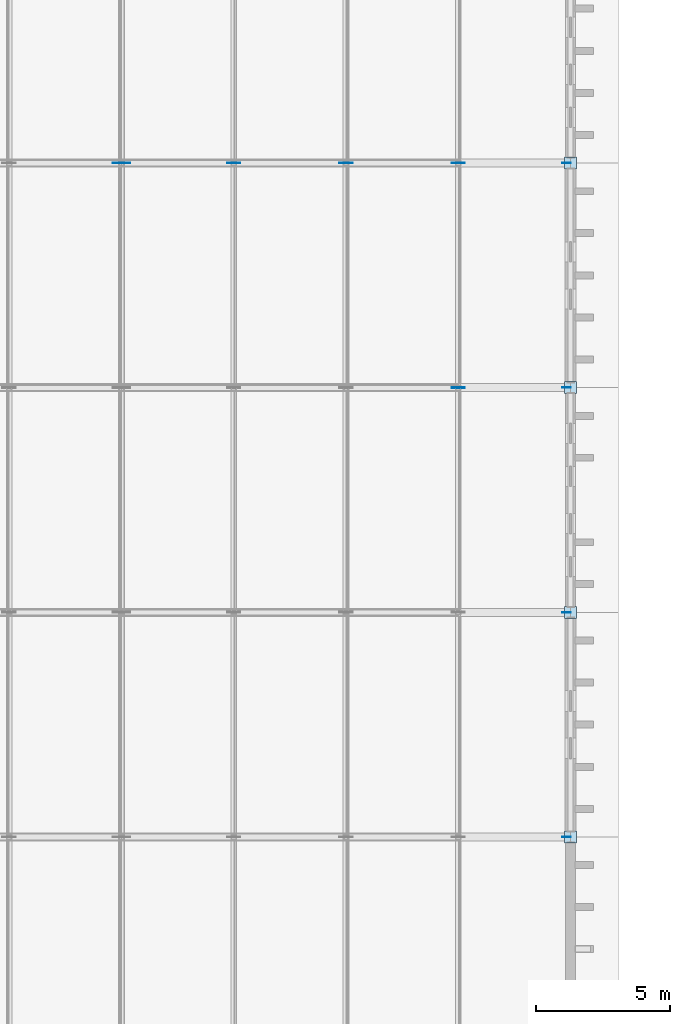
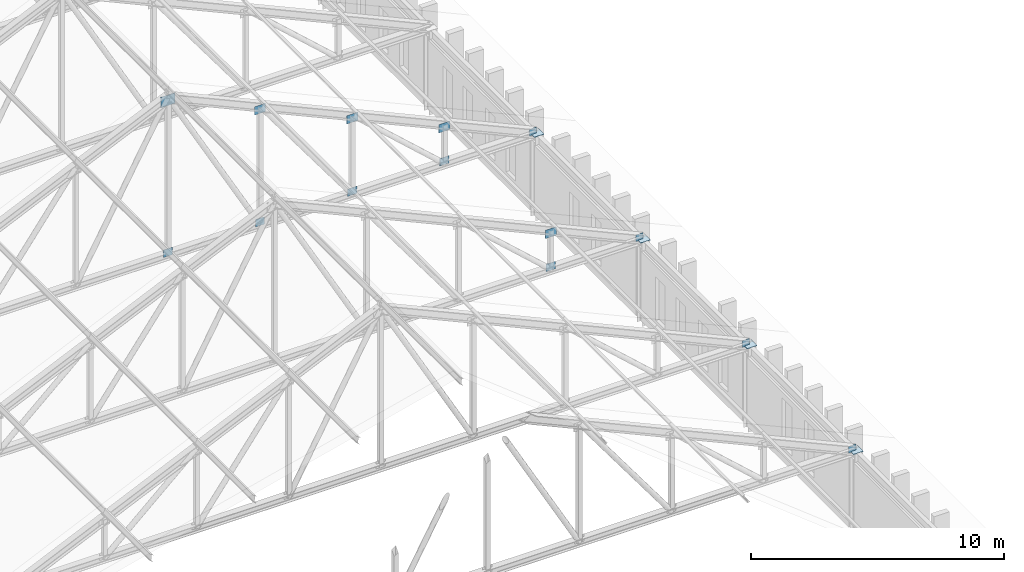
# One storey, part 69 of 110: 18 plates.
"""IFC4 building model written with IfcOpenShell, lengths in metres."""

from ifc_helpers import new_model, si_unit, direction, frame, origin, origin_2d, place, context, subcontext, project, spatial, rectangle, extrude, material, layer, layer_set, type_object, element, save


model = new_model("IFC4")

# Units and contexts
model_context = context("Model", 3, precision=1e-05, world=origin(), true_north=direction((0.0, 1.0)))
body_context = subcontext(model_context, "Body", "Model", "MODEL_VIEW")
ifc_project = project(units=[si_unit("LENGTHUNIT", "METRE"), si_unit("AREAUNIT", "SQUARE_METRE"), si_unit("VOLUMEUNIT", "CUBIC_METRE"), si_unit("PLANEANGLEUNIT", "RADIAN"), si_unit("MASSUNIT", "GRAM", prefix="KILO")], contexts=[model_context])

# Site, building, storey
site_placement = place(None, origin())
site = spatial("IfcSite", under=ifc_project, at=site_placement, CompositionType="ELEMENT")
building_placement = place(site_placement, origin())
building = spatial("IfcBuilding", under=site, at=building_placement, Name="Kveldsbrygga Polytechnic", CompositionType="ELEMENT")
storey_placement = place(building_placement, frame((0.0, 0.0, 9.860107421875)))
storey = spatial("IfcBuildingStorey", under=building, at=storey_placement, Name="L02", CompositionType="ELEMENT", Elevation=9.860107421875)

# Plates
ifc_material = material(Name="Steel S355", Category="steel")
ifc_layer_1 = layer(ifc_material, 0.030029296875)
ifc_layer_set_1 = layer_set([ifc_layer_1], Name="Steel S355")
plate_type_1 = type_object("IfcPlateType", Name="CAP-BEAR-450", PredefinedType="SHEET", material=ifc_layer_set_1)
for number, where, z_axis, x_axis, name in (
    (1, (33.60009765625, 33.60009765625, 3.75), (0.0, 0.0, 1.0), (1.0, 0.0, 0.0), "Truss Bearing Plate V1W-T02-B"),
    (2, (33.60009765625, 42.0, 3.75), (0.0, 0.0, 1.0), (1.0, 0.0, 0.0), "Truss Bearing Plate V1W-T03-B"),
    (3, (33.60009765625, 50.39990234375, 3.75), (0.0, 0.0, 1.0), (1.0, 0.0, 0.0), "Truss Bearing Plate V1W-T04-B"),
    (4, (33.60009765625, 58.800048828125, 3.75), (0.0, 0.0, 1.0), (1.0, 0.0, 0.0), "Truss Bearing Plate V1W-T05-B"),
):
    element("IfcPlate", number, at=place(storey_placement, frame(where, z_axis=z_axis, x_axis=x_axis)), inside=storey, type_object=plate_type_1, Name=name, PredefinedType="SHEET", context=body_context, shape_type="SweptSolid", body=[
        extrude(rectangle(XDim=0.449951171875, YDim=0.449951171875, at=origin_2d()), origin(), (0.0, 0.0, 1.0), 0.030029296875),
    ])
ifc_layer_2 = layer(ifc_material, 0.02490234375)
ifc_layer_set_2 = layer_set([ifc_layer_2], Name="Steel S355")
plate_type_2 = type_object("IfcPlateType", Name="GUS-APEX-650", PredefinedType="SHEET", material=ifc_layer_set_2)
plate_placement = place(storey_placement, frame((16.800048828125, 58.800048828125, 10.97998046875), z_axis=(0.0, 0.0, 1.0), x_axis=(1.0, 0.0, 0.0)))
element("IfcPlate", 5, at=plate_placement, inside=storey, type_object=plate_type_2, Name="Truss Gusset Plate V1W-T05-GP-4", PredefinedType="SHEET", context=body_context, shape_type="SweptSolid", body=[
    extrude(rectangle(XDim=0.64990234375, YDim=0.02490234375, at=origin_2d()), origin(), (0.0, 0.0, 1.0), 0.5),
])
ifc_layer_3 = layer(ifc_material, 0.01806640625)
ifc_layer_set_3 = layer_set([ifc_layer_3], Name="Steel S355")
plate_type_3 = type_object("IfcPlateType", Name="GUS-BRACE-320", PredefinedType="SHEET", material=ifc_layer_set_3)
for number, where, z_axis, x_axis, name in (
    (6, (33.43994140625, 33.60009765625, 3.73974609375), (0.0, 0.0, 1.0), (1.0, 0.0, 0.0), "Truss Eaves Node Gusset V1W-T02-EGP-B"),
    (7, (33.43994140625, 42.0, 3.73974609375), (0.0, 0.0, 1.0), (1.0, 0.0, 0.0), "Truss Eaves Node Gusset V1W-T03-EGP-B"),
    (8, (33.43994140625, 50.39990234375, 3.73974609375), (0.0, 0.0, 1.0), (1.0, 0.0, 0.0), "Truss Eaves Node Gusset V1W-T04-EGP-B"),
    (9, (33.43994140625, 58.800048828125, 3.73974609375), (0.0, 0.0, 1.0), (1.0, 0.0, 0.0), "Truss Eaves Node Gusset V1W-T05-EGP-B"),
):
    element("IfcPlate", number, at=place(storey_placement, frame(where, z_axis=z_axis, x_axis=x_axis)), inside=storey, type_object=plate_type_3, Name=name, PredefinedType="SHEET", context=body_context, shape_type="SweptSolid", body=[
        extrude(rectangle(XDim=0.320068359375, YDim=0.01806640625, at=origin_2d()), origin(), (0.0, 0.0, 1.0), 0.320068359375),
    ])
ifc_layer_4 = layer(ifc_material, 0.02001953125)
ifc_layer_set_4 = layer_set([ifc_layer_4], Name="Steel S355")
plate_type_4 = type_object("IfcPlateType", Name="GUS-LECT-420", PredefinedType="SHEET", material=ifc_layer_set_4)
for number, where, z_axis, x_axis, name in (
    (10, (29.39990234375, 50.39990234375, 3.724853515625), (0.0, 0.0, 1.0), (1.0, 0.0, 0.0), "Truss Bottom-Chord Node Gusset V1W-T04-BGP-7"),
    (11, (16.800048828125, 58.800048828125, 3.724853515625), (0.0, 0.0, 1.0), (1.0, 0.0, 0.0), "Truss Bottom-Chord Node Gusset V1W-T05-BGP-4"),
    (12, (21.0, 58.800048828125, 3.724853515625), (0.0, 0.0, 1.0), (1.0, 0.0, 0.0), "Truss Bottom-Chord Node Gusset V1W-T05-BGP-5"),
    (13, (25.199951171875, 58.800048828125, 3.724853515625), (0.0, 0.0, 1.0), (1.0, 0.0, 0.0), "Truss Bottom-Chord Node Gusset V1W-T05-BGP-6"),
    (14, (29.39990234375, 58.800048828125, 3.724853515625), (0.0, 0.0, 1.0), (1.0, 0.0, 0.0), "Truss Bottom-Chord Node Gusset V1W-T05-BGP-7"),
):
    element("IfcPlate", number, at=place(storey_placement, frame(where, z_axis=z_axis, x_axis=x_axis)), inside=storey, type_object=plate_type_4, Name=name, PredefinedType="SHEET", context=body_context, shape_type="SweptSolid", body=[
        extrude(rectangle(XDim=0.419921875, YDim=0.02001953125, at=origin_2d()), origin(), (0.0, 0.0, 1.0), 0.35009765625),
    ])
ifc_layer_5 = layer(ifc_material, 0.02197265625)
ifc_layer_set_5 = layer_set([ifc_layer_5], Name="Steel S355")
plate_type_5 = type_object("IfcPlateType", Name="GUS-NODE-500", PredefinedType="SHEET", material=ifc_layer_set_5)
for number, where, z_axis, x_axis, name in (
    (15, (29.39990234375, 50.39990234375, 5.329833984375), (0.0, 0.0, 1.0), (1.0, 0.0, 0.0), "Truss Gusset Plate V1W-T04-GP-7"),
    (16, (21.0, 58.800048828125, 9.1298828125), (0.0, 0.0, 1.0), (1.0, 0.0, 0.0), "Truss Gusset Plate V1W-T05-GP-5"),
    (17, (25.199951171875, 58.800048828125, 7.22998046875), (0.0, 0.0, 1.0), (1.0, 0.0, 0.0), "Truss Gusset Plate V1W-T05-GP-6"),
    (18, (29.39990234375, 58.800048828125, 5.329833984375), (0.0, 0.0, 1.0), (1.0, 0.0, 0.0), "Truss Gusset Plate V1W-T05-GP-7"),
):
    element("IfcPlate", number, at=place(storey_placement, frame(where, z_axis=z_axis, x_axis=x_axis)), inside=storey, type_object=plate_type_5, Name=name, PredefinedType="SHEET", context=body_context, shape_type="SweptSolid", body=[
        extrude(rectangle(XDim=0.5, YDim=0.02197265625, at=origin_2d()), origin(), (0.0, 0.0, 1.0), 0.39990234375),
    ])

save(model, "model.ifc")
